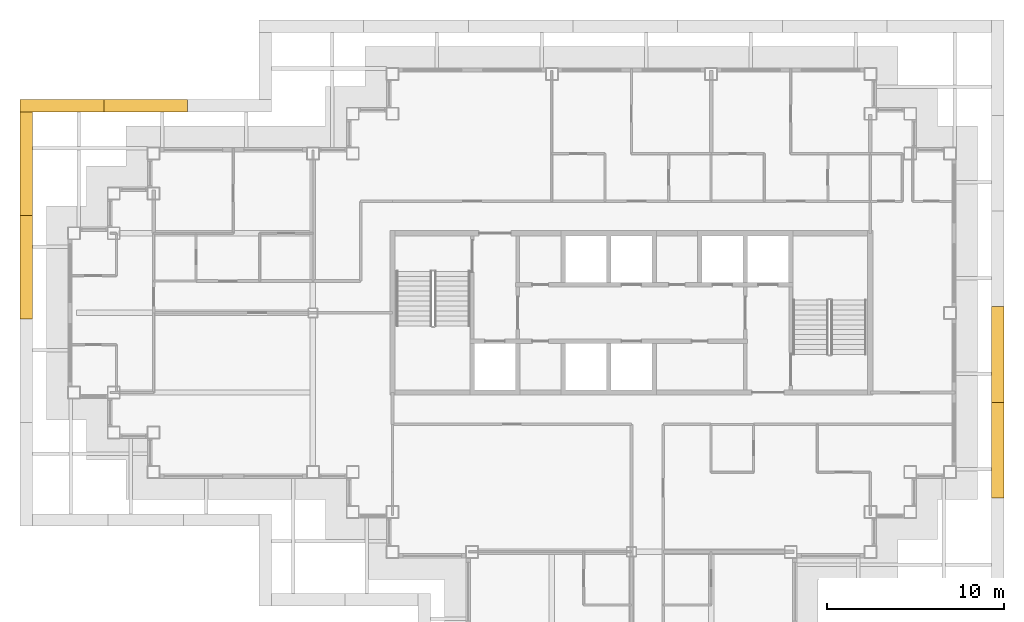
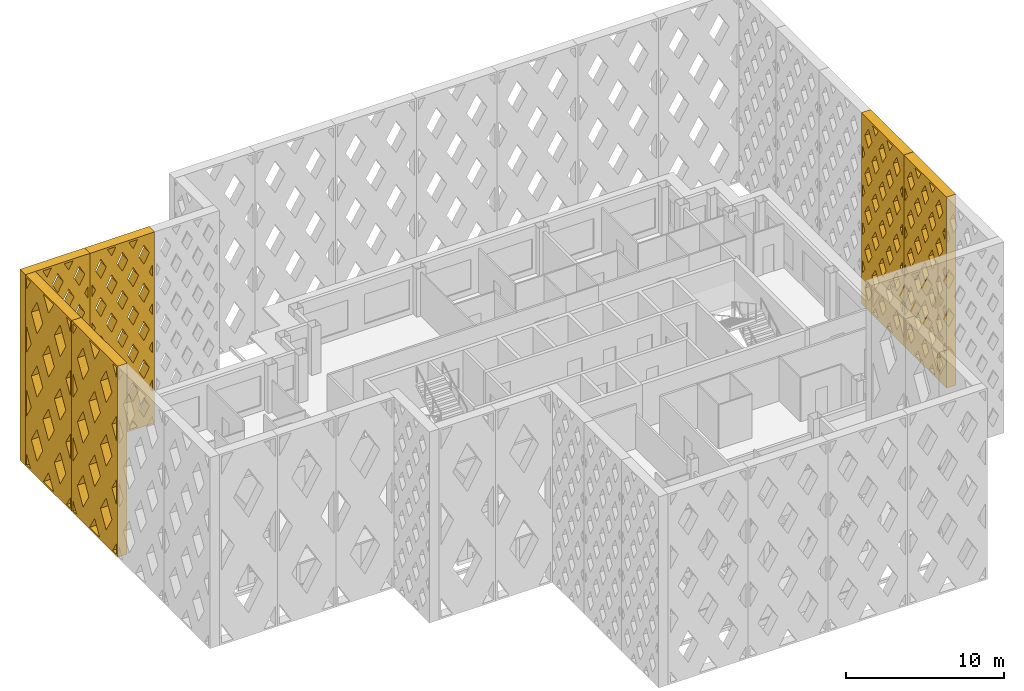
# One storey, part 15 of 17: 6 shading devices.
"""IFC4 building model written with IfcOpenShell, lengths in metres."""

from ifc_helpers import new_model, si_unit, direction, frame, origin, place, context, subcontext, project, spatial, polyline, outline, extrude, material, type_object, element, save


model = new_model("IFC4")

# Units and contexts
model_context = context("Model", 3, precision=1e-05, world=origin(), true_north=direction((0.0, 1.0)))
body_context = subcontext(model_context, "Body", "Model", "MODEL_VIEW")
ifc_project = project(units=[si_unit("LENGTHUNIT", "METRE"), si_unit("AREAUNIT", "SQUARE_METRE"), si_unit("VOLUMEUNIT", "CUBIC_METRE"), si_unit("PLANEANGLEUNIT", "RADIAN"), si_unit("MASSUNIT", "GRAM", prefix="KILO")], contexts=[model_context])

# Site, building, storey
site_placement = place(None, origin())
site = spatial("IfcSite", under=ifc_project, at=site_placement, CompositionType="ELEMENT")
building_placement = place(site_placement, origin())
building = spatial("IfcBuilding", under=site, at=building_placement, Name="Caravel Reach Hotel and Residences", CompositionType="ELEMENT")
storey_placement = place(building_placement, frame((0.0, 0.0, 192.39990234375)))
storey = spatial("IfcBuildingStorey", under=building, at=storey_placement, Name="L48", CompositionType="ELEMENT", Elevation=192.39990234375)

# Shading devices
ifc_material_1 = material(Name="Black powder-coated aluminium", Category="aluminium")
shading_device_type_1 = type_object("IfcShadingDeviceType", Name="Diamond lattice screen panel 4733 x 14800", PredefinedType="USERDEFINED", material=ifc_material_1)
shading_device_1_placement = place(storey_placement, frame((6.416748046875, 38.35009765625, 0.0), z_axis=(0.0, 1.0, 0.0), x_axis=(-1.0, 0.0, 0.0)))
element("IfcShadingDevice", 1, at=shading_device_1_placement, inside=storey, type_object=shading_device_type_1, Name="Lattice screen L48-L51 6.2", ObjectType="SCREEN", PredefinedType="USERDEFINED", context=body_context, shape_type="SweptSolid", body=[
    extrude(outline(polyline([(0.0, 0.0), (4.7333984375, 0.0), (4.7333984375, 14.800048828125), (0.0, 14.800048828125), (0.0, 0.0)]), holes=[polyline([(0.398681640625, 2.9599609375), (0.14990234375, 3.4267578125), (0.14990234375, 2.493408203125), (0.398681640625, 2.9599609375)]), polyline([(0.398681640625, 5.919921875), (0.14990234375, 6.38671875), (0.14990234375, 5.453369140625), (0.398681640625, 5.919921875)]), polyline([(0.398681640625, 8.8798828125), (0.14990234375, 9.3466796875), (0.14990234375, 8.413330078125), (0.398681640625, 8.8798828125)]), polyline([(0.398681640625, 11.840087890625), (0.14990234375, 12.306640625), (0.14990234375, 11.373291015625), (0.398681640625, 11.840087890625)]), polyline([(0.788818359375, 2.22802734375), (0.39013671875, 1.47998046875), (0.788818359375, 0.73193359375), (1.187744140625, 1.47998046875), (0.788818359375, 2.22802734375)]), polyline([(0.788818359375, 5.18798828125), (0.39013671875, 4.43994140625), (0.788818359375, 3.69189453125), (1.187744140625, 4.43994140625), (0.788818359375, 5.18798828125)]), polyline([(0.788818359375, 8.14794921875), (0.39013671875, 7.39990234375), (0.788818359375, 6.65185546875), (1.187744140625, 7.39990234375), (0.788818359375, 8.14794921875)]), polyline([(0.788818359375, 11.108154296875), (0.39013671875, 10.360107421875), (0.788818359375, 9.612060546875), (1.187744140625, 10.360107421875), (0.788818359375, 11.108154296875)]), polyline([(0.788818359375, 14.068115234375), (0.39013671875, 13.320068359375), (0.788818359375, 12.572021484375), (1.187744140625, 13.320068359375), (0.788818359375, 14.068115234375)]), polyline([(1.577880859375, 0.748046875), (1.259033203125, 0.14990234375), (1.896484375, 0.14990234375), (1.577880859375, 0.748046875)]), polyline([(1.577880859375, 3.7080078125), (1.178955078125, 2.9599609375), (1.577880859375, 2.2119140625), (1.9765625, 2.9599609375), (1.577880859375, 3.7080078125)]), polyline([(1.577880859375, 6.66796875), (1.178955078125, 5.919921875), (1.577880859375, 5.171875), (1.9765625, 5.919921875), (1.577880859375, 6.66796875)]), polyline([(1.577880859375, 9.6279296875), (1.178955078125, 8.8798828125), (1.577880859375, 8.1318359375), (1.9765625, 8.8798828125), (1.577880859375, 9.6279296875)]), polyline([(1.577880859375, 12.588134765625), (1.178955078125, 11.840087890625), (1.577880859375, 11.092041015625), (1.9765625, 11.840087890625), (1.577880859375, 12.588134765625)]), polyline([(1.577880859375, 14.052001953125), (1.896484375, 14.64990234375), (1.259033203125, 14.64990234375), (1.577880859375, 14.052001953125)]), polyline([(2.36669921875, 2.22802734375), (1.968017578125, 1.47998046875), (2.36669921875, 0.73193359375), (2.765380859375, 1.47998046875), (2.36669921875, 2.22802734375)]), polyline([(2.36669921875, 5.18798828125), (1.968017578125, 4.43994140625), (2.36669921875, 3.69189453125), (2.765380859375, 4.43994140625), (2.36669921875, 5.18798828125)]), polyline([(2.36669921875, 8.14794921875), (1.968017578125, 7.39990234375), (2.36669921875, 6.65185546875), (2.765380859375, 7.39990234375), (2.36669921875, 8.14794921875)]), polyline([(2.36669921875, 11.108154296875), (1.968017578125, 10.360107421875), (2.36669921875, 9.612060546875), (2.765380859375, 10.360107421875), (2.36669921875, 11.108154296875)]), polyline([(2.36669921875, 14.068115234375), (1.968017578125, 13.320068359375), (2.36669921875, 12.572021484375), (2.765380859375, 13.320068359375), (2.36669921875, 14.068115234375)]), polyline([(3.155517578125, 0.748046875), (2.836669921875, 0.14990234375), (3.474365234375, 0.14990234375), (3.155517578125, 0.748046875)]), polyline([(3.155517578125, 3.7080078125), (2.7568359375, 2.9599609375), (3.155517578125, 2.2119140625), (3.55419921875, 2.9599609375), (3.155517578125, 3.7080078125)]), polyline([(3.155517578125, 6.66796875), (2.7568359375, 5.919921875), (3.155517578125, 5.171875), (3.55419921875, 5.919921875), (3.155517578125, 6.66796875)]), polyline([(3.155517578125, 9.6279296875), (2.7568359375, 8.8798828125), (3.155517578125, 8.1318359375), (3.55419921875, 8.8798828125), (3.155517578125, 9.6279296875)]), polyline([(3.155517578125, 12.588134765625), (2.7568359375, 11.840087890625), (3.155517578125, 11.092041015625), (3.55419921875, 11.840087890625), (3.155517578125, 12.588134765625)]), polyline([(3.155517578125, 14.052001953125), (3.474365234375, 14.64990234375), (2.836669921875, 14.64990234375), (3.155517578125, 14.052001953125)]), polyline([(3.9443359375, 2.22802734375), (3.545654296875, 1.47998046875), (3.9443359375, 0.73193359375), (4.34326171875, 1.47998046875), (3.9443359375, 2.22802734375)]), polyline([(3.9443359375, 5.18798828125), (3.545654296875, 4.43994140625), (3.9443359375, 3.69189453125), (4.34326171875, 4.43994140625), (3.9443359375, 5.18798828125)]), polyline([(3.9443359375, 8.14794921875), (3.545654296875, 7.39990234375), (3.9443359375, 6.65185546875), (4.34326171875, 7.39990234375), (3.9443359375, 8.14794921875)]), polyline([(3.9443359375, 11.108154296875), (3.545654296875, 10.360107421875), (3.9443359375, 9.612060546875), (4.34326171875, 10.360107421875), (3.9443359375, 11.108154296875)]), polyline([(3.9443359375, 14.068115234375), (3.545654296875, 13.320068359375), (3.9443359375, 12.572021484375), (4.34326171875, 13.320068359375), (3.9443359375, 14.068115234375)]), polyline([(4.334716796875, 2.9599609375), (4.583251953125, 2.493408203125), (4.583251953125, 3.4267578125), (4.334716796875, 2.9599609375)]), polyline([(4.334716796875, 5.919921875), (4.583251953125, 5.453369140625), (4.583251953125, 6.38671875), (4.334716796875, 5.919921875)]), polyline([(4.334716796875, 8.8798828125), (4.583251953125, 8.413330078125), (4.583251953125, 9.3466796875), (4.334716796875, 8.8798828125)]), polyline([(4.334716796875, 11.840087890625), (4.583251953125, 11.373291015625), (4.583251953125, 12.306640625), (4.334716796875, 11.840087890625)])]), origin(), (0.0, 0.0, 1.0), 0.699951171875),
])
shading_device_2_placement = place(storey_placement, frame((1.683349609375, 38.35009765625, 0.0), z_axis=(0.0, 1.0, 0.0), x_axis=(-1.0, 0.0, 0.0)))
element("IfcShadingDevice", 2, at=shading_device_2_placement, inside=storey, type_object=shading_device_type_1, Name="Lattice screen L48-L51 6.3", ObjectType="SCREEN", PredefinedType="USERDEFINED", context=body_context, shape_type="SweptSolid", body=[
    extrude(outline(polyline([(0.0, 0.0), (4.7333984375, 0.0), (4.7333984375, 14.800048828125), (0.0, 14.800048828125), (0.0, 0.0)]), holes=[polyline([(0.398681640625, 2.9599609375), (0.14990234375, 3.4267578125), (0.14990234375, 2.493408203125), (0.398681640625, 2.9599609375)]), polyline([(0.398681640625, 5.919921875), (0.14990234375, 6.38671875), (0.14990234375, 5.453369140625), (0.398681640625, 5.919921875)]), polyline([(0.398681640625, 8.8798828125), (0.14990234375, 9.3466796875), (0.14990234375, 8.413330078125), (0.398681640625, 8.8798828125)]), polyline([(0.398681640625, 11.840087890625), (0.14990234375, 12.306640625), (0.14990234375, 11.373291015625), (0.398681640625, 11.840087890625)]), polyline([(0.788818359375, 2.22802734375), (0.39013671875, 1.47998046875), (0.788818359375, 0.73193359375), (1.187744140625, 1.47998046875), (0.788818359375, 2.22802734375)]), polyline([(0.788818359375, 5.18798828125), (0.39013671875, 4.43994140625), (0.788818359375, 3.69189453125), (1.187744140625, 4.43994140625), (0.788818359375, 5.18798828125)]), polyline([(0.788818359375, 8.14794921875), (0.39013671875, 7.39990234375), (0.788818359375, 6.65185546875), (1.187744140625, 7.39990234375), (0.788818359375, 8.14794921875)]), polyline([(0.788818359375, 11.108154296875), (0.39013671875, 10.360107421875), (0.788818359375, 9.612060546875), (1.187744140625, 10.360107421875), (0.788818359375, 11.108154296875)]), polyline([(0.788818359375, 14.068115234375), (0.39013671875, 13.320068359375), (0.788818359375, 12.572021484375), (1.187744140625, 13.320068359375), (0.788818359375, 14.068115234375)]), polyline([(1.577880859375, 0.748046875), (1.259033203125, 0.14990234375), (1.896484375, 0.14990234375), (1.577880859375, 0.748046875)]), polyline([(1.577880859375, 3.7080078125), (1.178955078125, 2.9599609375), (1.577880859375, 2.2119140625), (1.9765625, 2.9599609375), (1.577880859375, 3.7080078125)]), polyline([(1.577880859375, 6.66796875), (1.178955078125, 5.919921875), (1.577880859375, 5.171875), (1.9765625, 5.919921875), (1.577880859375, 6.66796875)]), polyline([(1.577880859375, 9.6279296875), (1.178955078125, 8.8798828125), (1.577880859375, 8.1318359375), (1.9765625, 8.8798828125), (1.577880859375, 9.6279296875)]), polyline([(1.577880859375, 12.588134765625), (1.178955078125, 11.840087890625), (1.577880859375, 11.092041015625), (1.9765625, 11.840087890625), (1.577880859375, 12.588134765625)]), polyline([(1.577880859375, 14.052001953125), (1.896484375, 14.64990234375), (1.259033203125, 14.64990234375), (1.577880859375, 14.052001953125)]), polyline([(2.36669921875, 2.22802734375), (1.968017578125, 1.47998046875), (2.36669921875, 0.73193359375), (2.765380859375, 1.47998046875), (2.36669921875, 2.22802734375)]), polyline([(2.36669921875, 5.18798828125), (1.968017578125, 4.43994140625), (2.36669921875, 3.69189453125), (2.765380859375, 4.43994140625), (2.36669921875, 5.18798828125)]), polyline([(2.36669921875, 8.14794921875), (1.968017578125, 7.39990234375), (2.36669921875, 6.65185546875), (2.765380859375, 7.39990234375), (2.36669921875, 8.14794921875)]), polyline([(2.36669921875, 11.108154296875), (1.968017578125, 10.360107421875), (2.36669921875, 9.612060546875), (2.765380859375, 10.360107421875), (2.36669921875, 11.108154296875)]), polyline([(2.36669921875, 14.068115234375), (1.968017578125, 13.320068359375), (2.36669921875, 12.572021484375), (2.765380859375, 13.320068359375), (2.36669921875, 14.068115234375)]), polyline([(3.155517578125, 0.748046875), (2.836669921875, 0.14990234375), (3.474365234375, 0.14990234375), (3.155517578125, 0.748046875)]), polyline([(3.155517578125, 3.7080078125), (2.7568359375, 2.9599609375), (3.155517578125, 2.2119140625), (3.55419921875, 2.9599609375), (3.155517578125, 3.7080078125)]), polyline([(3.155517578125, 6.66796875), (2.7568359375, 5.919921875), (3.155517578125, 5.171875), (3.55419921875, 5.919921875), (3.155517578125, 6.66796875)]), polyline([(3.155517578125, 9.6279296875), (2.7568359375, 8.8798828125), (3.155517578125, 8.1318359375), (3.55419921875, 8.8798828125), (3.155517578125, 9.6279296875)]), polyline([(3.155517578125, 12.588134765625), (2.7568359375, 11.840087890625), (3.155517578125, 11.092041015625), (3.55419921875, 11.840087890625), (3.155517578125, 12.588134765625)]), polyline([(3.155517578125, 14.052001953125), (3.474365234375, 14.64990234375), (2.836669921875, 14.64990234375), (3.155517578125, 14.052001953125)]), polyline([(3.9443359375, 2.22802734375), (3.545654296875, 1.47998046875), (3.9443359375, 0.73193359375), (4.34326171875, 1.47998046875), (3.9443359375, 2.22802734375)]), polyline([(3.9443359375, 5.18798828125), (3.545654296875, 4.43994140625), (3.9443359375, 3.69189453125), (4.34326171875, 4.43994140625), (3.9443359375, 5.18798828125)]), polyline([(3.9443359375, 8.14794921875), (3.545654296875, 7.39990234375), (3.9443359375, 6.65185546875), (4.34326171875, 7.39990234375), (3.9443359375, 8.14794921875)]), polyline([(3.9443359375, 11.108154296875), (3.545654296875, 10.360107421875), (3.9443359375, 9.612060546875), (4.34326171875, 10.360107421875), (3.9443359375, 11.108154296875)]), polyline([(3.9443359375, 14.068115234375), (3.545654296875, 13.320068359375), (3.9443359375, 12.572021484375), (4.34326171875, 13.320068359375), (3.9443359375, 14.068115234375)]), polyline([(4.334716796875, 2.9599609375), (4.583251953125, 2.493408203125), (4.583251953125, 3.4267578125), (4.334716796875, 2.9599609375)]), polyline([(4.334716796875, 5.919921875), (4.583251953125, 5.453369140625), (4.583251953125, 6.38671875), (4.334716796875, 5.919921875)]), polyline([(4.334716796875, 8.8798828125), (4.583251953125, 8.413330078125), (4.583251953125, 9.3466796875), (4.334716796875, 8.8798828125)]), polyline([(4.334716796875, 11.840087890625), (4.583251953125, 11.373291015625), (4.583251953125, 12.306640625), (4.334716796875, 11.840087890625)])]), origin(), (0.0, 0.0, 1.0), 0.699951171875),
])
ifc_material_2 = material(Name="Black powder-coated aluminium", Category="aluminium")
shading_device_type_2 = type_object("IfcShadingDeviceType", Name="Diamond lattice screen panel 5400 x 14800", PredefinedType="USERDEFINED", material=ifc_material_2)
shading_device_3_placement = place(storey_placement, frame((51.85009765625, 16.550048828125, 0.0), z_axis=(1.0, 0.0, 0.0), x_axis=(0.0, 1.0, 0.0)))
element("IfcShadingDevice", 3, at=shading_device_3_placement, inside=storey, type_object=shading_device_type_2, Name="Lattice screen L48-L51 3.2", ObjectType="SCREEN", PredefinedType="USERDEFINED", context=body_context, shape_type="SweptSolid", body=[
    extrude(outline(polyline([(0.0, 0.0), (5.39990234375, 0.0), (5.39990234375, 14.800048828125), (0.0, 14.800048828125), (0.0, 0.0)]), holes=[polyline([(0.452880859375, 2.9599609375), (0.14990234375, 3.4580078125), (0.14990234375, 2.4619140625), (0.452880859375, 2.9599609375)]), polyline([(0.452880859375, 5.919921875), (0.14990234375, 6.41796875), (0.14990234375, 5.421875), (0.452880859375, 5.919921875)]), polyline([(0.452880859375, 8.8798828125), (0.14990234375, 9.378173828125), (0.14990234375, 8.3818359375), (0.452880859375, 8.8798828125)]), polyline([(0.452880859375, 11.840087890625), (0.14990234375, 12.338134765625), (0.14990234375, 11.342041015625), (0.452880859375, 11.840087890625)]), polyline([(0.89990234375, 2.224853515625), (0.447021484375, 1.47998046875), (0.89990234375, 0.7353515625), (1.352783203125, 1.47998046875), (0.89990234375, 2.224853515625)]), polyline([(0.89990234375, 5.184814453125), (0.447021484375, 4.43994140625), (0.89990234375, 3.6953125), (1.352783203125, 4.43994140625), (0.89990234375, 5.184814453125)]), polyline([(0.89990234375, 8.144775390625), (0.447021484375, 7.39990234375), (0.89990234375, 6.6552734375), (1.352783203125, 7.39990234375), (0.89990234375, 8.144775390625)]), polyline([(0.89990234375, 11.104736328125), (0.447021484375, 10.360107421875), (0.89990234375, 9.615234375), (1.352783203125, 10.360107421875), (0.89990234375, 11.104736328125)]), polyline([(0.89990234375, 14.064697265625), (0.447021484375, 13.320068359375), (0.89990234375, 12.5751953125), (1.352783203125, 13.320068359375), (0.89990234375, 14.064697265625)]), polyline([(1.800048828125, 0.74462890625), (1.438232421875, 0.14990234375), (2.16162109375, 0.14990234375), (1.800048828125, 0.74462890625)]), polyline([(1.800048828125, 3.704833984375), (1.34716796875, 2.9599609375), (1.800048828125, 2.21533203125), (2.2529296875, 2.9599609375), (1.800048828125, 3.704833984375)]), polyline([(1.800048828125, 6.664794921875), (1.34716796875, 5.919921875), (1.800048828125, 5.17529296875), (2.2529296875, 5.919921875), (1.800048828125, 6.664794921875)]), polyline([(1.800048828125, 9.624755859375), (1.34716796875, 8.8798828125), (1.800048828125, 8.13525390625), (2.2529296875, 8.8798828125), (1.800048828125, 9.624755859375)]), polyline([(1.800048828125, 12.584716796875), (1.34716796875, 11.840087890625), (1.800048828125, 11.09521484375), (2.2529296875, 11.840087890625), (1.800048828125, 12.584716796875)]), polyline([(1.800048828125, 14.05517578125), (2.16162109375, 14.64990234375), (1.438232421875, 14.64990234375), (1.800048828125, 14.05517578125)]), polyline([(2.699951171875, 2.224853515625), (2.2470703125, 1.47998046875), (2.699951171875, 0.7353515625), (3.15283203125, 1.47998046875), (2.699951171875, 2.224853515625)]), polyline([(2.699951171875, 5.184814453125), (2.2470703125, 4.43994140625), (2.699951171875, 3.6953125), (3.15283203125, 4.43994140625), (2.699951171875, 5.184814453125)]), polyline([(2.699951171875, 8.144775390625), (2.2470703125, 7.39990234375), (2.699951171875, 6.6552734375), (3.15283203125, 7.39990234375), (2.699951171875, 8.144775390625)]), polyline([(2.699951171875, 11.104736328125), (2.2470703125, 10.360107421875), (2.699951171875, 9.615234375), (3.15283203125, 10.360107421875), (2.699951171875, 11.104736328125)]), polyline([(2.699951171875, 14.064697265625), (2.2470703125, 13.320068359375), (2.699951171875, 12.5751953125), (3.15283203125, 13.320068359375), (2.699951171875, 14.064697265625)]), polyline([(3.60009765625, 0.74462890625), (3.23828125, 0.14990234375), (3.961669921875, 0.14990234375), (3.60009765625, 0.74462890625)]), polyline([(3.60009765625, 3.704833984375), (3.147216796875, 2.9599609375), (3.60009765625, 2.21533203125), (4.052978515625, 2.9599609375), (3.60009765625, 3.704833984375)]), polyline([(3.60009765625, 6.664794921875), (3.147216796875, 5.919921875), (3.60009765625, 5.17529296875), (4.052978515625, 5.919921875), (3.60009765625, 6.664794921875)]), polyline([(3.60009765625, 9.624755859375), (3.147216796875, 8.8798828125), (3.60009765625, 8.13525390625), (4.052978515625, 8.8798828125), (3.60009765625, 9.624755859375)]), polyline([(3.60009765625, 12.584716796875), (3.147216796875, 11.840087890625), (3.60009765625, 11.09521484375), (4.052978515625, 11.840087890625), (3.60009765625, 12.584716796875)]), polyline([(3.60009765625, 14.05517578125), (3.961669921875, 14.64990234375), (3.23828125, 14.64990234375), (3.60009765625, 14.05517578125)]), polyline([(4.5, 2.224853515625), (4.047119140625, 1.47998046875), (4.5, 0.7353515625), (4.952880859375, 1.47998046875), (4.5, 2.224853515625)]), polyline([(4.5, 5.184814453125), (4.047119140625, 4.43994140625), (4.5, 3.6953125), (4.952880859375, 4.43994140625), (4.5, 5.184814453125)]), polyline([(4.5, 8.144775390625), (4.047119140625, 7.39990234375), (4.5, 6.6552734375), (4.952880859375, 7.39990234375), (4.5, 8.144775390625)]), polyline([(4.5, 11.104736328125), (4.047119140625, 10.360107421875), (4.5, 9.615234375), (4.952880859375, 10.360107421875), (4.5, 11.104736328125)]), polyline([(4.5, 14.064697265625), (4.047119140625, 13.320068359375), (4.5, 12.5751953125), (4.952880859375, 13.320068359375), (4.5, 14.064697265625)]), polyline([(4.947021484375, 2.9599609375), (5.25, 2.4619140625), (5.25, 3.4580078125), (4.947021484375, 2.9599609375)]), polyline([(4.947021484375, 5.919921875), (5.25, 5.421875), (5.25, 6.41796875), (4.947021484375, 5.919921875)]), polyline([(4.947021484375, 8.8798828125), (5.25, 8.3818359375), (5.25, 9.378173828125), (4.947021484375, 8.8798828125)]), polyline([(4.947021484375, 11.840087890625), (5.25, 11.342041015625), (5.25, 12.338134765625), (4.947021484375, 11.840087890625)])]), origin(), (0.0, 0.0, 1.0), 0.699951171875),
])
shading_device_4_placement = place(storey_placement, frame((51.85009765625, 21.949951171875, 0.0), z_axis=(1.0, 0.0, 0.0), x_axis=(0.0, 1.0, 0.0)))
element("IfcShadingDevice", 4, at=shading_device_4_placement, inside=storey, type_object=shading_device_type_2, Name="Lattice screen L48-L51 3.3", ObjectType="SCREEN", PredefinedType="USERDEFINED", context=body_context, shape_type="SweptSolid", body=[
    extrude(outline(polyline([(0.0, 0.0), (5.39990234375, 0.0), (5.39990234375, 14.800048828125), (0.0, 14.800048828125), (0.0, 0.0)]), holes=[polyline([(0.452880859375, 2.9599609375), (0.14990234375, 3.4580078125), (0.14990234375, 2.4619140625), (0.452880859375, 2.9599609375)]), polyline([(0.452880859375, 5.919921875), (0.14990234375, 6.41796875), (0.14990234375, 5.421875), (0.452880859375, 5.919921875)]), polyline([(0.452880859375, 8.8798828125), (0.14990234375, 9.378173828125), (0.14990234375, 8.3818359375), (0.452880859375, 8.8798828125)]), polyline([(0.452880859375, 11.840087890625), (0.14990234375, 12.338134765625), (0.14990234375, 11.342041015625), (0.452880859375, 11.840087890625)]), polyline([(0.89990234375, 2.224853515625), (0.447021484375, 1.47998046875), (0.89990234375, 0.7353515625), (1.352783203125, 1.47998046875), (0.89990234375, 2.224853515625)]), polyline([(0.89990234375, 5.184814453125), (0.447021484375, 4.43994140625), (0.89990234375, 3.6953125), (1.352783203125, 4.43994140625), (0.89990234375, 5.184814453125)]), polyline([(0.89990234375, 8.144775390625), (0.447021484375, 7.39990234375), (0.89990234375, 6.6552734375), (1.352783203125, 7.39990234375), (0.89990234375, 8.144775390625)]), polyline([(0.89990234375, 11.104736328125), (0.447021484375, 10.360107421875), (0.89990234375, 9.615234375), (1.352783203125, 10.360107421875), (0.89990234375, 11.104736328125)]), polyline([(0.89990234375, 14.064697265625), (0.447021484375, 13.320068359375), (0.89990234375, 12.5751953125), (1.352783203125, 13.320068359375), (0.89990234375, 14.064697265625)]), polyline([(1.800048828125, 0.74462890625), (1.438232421875, 0.14990234375), (2.16162109375, 0.14990234375), (1.800048828125, 0.74462890625)]), polyline([(1.800048828125, 3.704833984375), (1.34716796875, 2.9599609375), (1.800048828125, 2.21533203125), (2.2529296875, 2.9599609375), (1.800048828125, 3.704833984375)]), polyline([(1.800048828125, 6.664794921875), (1.34716796875, 5.919921875), (1.800048828125, 5.17529296875), (2.2529296875, 5.919921875), (1.800048828125, 6.664794921875)]), polyline([(1.800048828125, 9.624755859375), (1.34716796875, 8.8798828125), (1.800048828125, 8.13525390625), (2.2529296875, 8.8798828125), (1.800048828125, 9.624755859375)]), polyline([(1.800048828125, 12.584716796875), (1.34716796875, 11.840087890625), (1.800048828125, 11.09521484375), (2.2529296875, 11.840087890625), (1.800048828125, 12.584716796875)]), polyline([(1.800048828125, 14.05517578125), (2.16162109375, 14.64990234375), (1.438232421875, 14.64990234375), (1.800048828125, 14.05517578125)]), polyline([(2.699951171875, 2.224853515625), (2.2470703125, 1.47998046875), (2.699951171875, 0.7353515625), (3.15283203125, 1.47998046875), (2.699951171875, 2.224853515625)]), polyline([(2.699951171875, 5.184814453125), (2.2470703125, 4.43994140625), (2.699951171875, 3.6953125), (3.15283203125, 4.43994140625), (2.699951171875, 5.184814453125)]), polyline([(2.699951171875, 8.144775390625), (2.2470703125, 7.39990234375), (2.699951171875, 6.6552734375), (3.15283203125, 7.39990234375), (2.699951171875, 8.144775390625)]), polyline([(2.699951171875, 11.104736328125), (2.2470703125, 10.360107421875), (2.699951171875, 9.615234375), (3.15283203125, 10.360107421875), (2.699951171875, 11.104736328125)]), polyline([(2.699951171875, 14.064697265625), (2.2470703125, 13.320068359375), (2.699951171875, 12.5751953125), (3.15283203125, 13.320068359375), (2.699951171875, 14.064697265625)]), polyline([(3.60009765625, 0.74462890625), (3.23828125, 0.14990234375), (3.961669921875, 0.14990234375), (3.60009765625, 0.74462890625)]), polyline([(3.60009765625, 3.704833984375), (3.147216796875, 2.9599609375), (3.60009765625, 2.21533203125), (4.052978515625, 2.9599609375), (3.60009765625, 3.704833984375)]), polyline([(3.60009765625, 6.664794921875), (3.147216796875, 5.919921875), (3.60009765625, 5.17529296875), (4.052978515625, 5.919921875), (3.60009765625, 6.664794921875)]), polyline([(3.60009765625, 9.624755859375), (3.147216796875, 8.8798828125), (3.60009765625, 8.13525390625), (4.052978515625, 8.8798828125), (3.60009765625, 9.624755859375)]), polyline([(3.60009765625, 12.584716796875), (3.147216796875, 11.840087890625), (3.60009765625, 11.09521484375), (4.052978515625, 11.840087890625), (3.60009765625, 12.584716796875)]), polyline([(3.60009765625, 14.05517578125), (3.961669921875, 14.64990234375), (3.23828125, 14.64990234375), (3.60009765625, 14.05517578125)]), polyline([(4.5, 2.224853515625), (4.047119140625, 1.47998046875), (4.5, 0.7353515625), (4.952880859375, 1.47998046875), (4.5, 2.224853515625)]), polyline([(4.5, 5.184814453125), (4.047119140625, 4.43994140625), (4.5, 3.6953125), (4.952880859375, 4.43994140625), (4.5, 5.184814453125)]), polyline([(4.5, 8.144775390625), (4.047119140625, 7.39990234375), (4.5, 6.6552734375), (4.952880859375, 7.39990234375), (4.5, 8.144775390625)]), polyline([(4.5, 11.104736328125), (4.047119140625, 10.360107421875), (4.5, 9.615234375), (4.952880859375, 10.360107421875), (4.5, 11.104736328125)]), polyline([(4.5, 14.064697265625), (4.047119140625, 13.320068359375), (4.5, 12.5751953125), (4.952880859375, 13.320068359375), (4.5, 14.064697265625)]), polyline([(4.947021484375, 2.9599609375), (5.25, 2.4619140625), (5.25, 3.4580078125), (4.947021484375, 2.9599609375)]), polyline([(4.947021484375, 5.919921875), (5.25, 5.421875), (5.25, 6.41796875), (4.947021484375, 5.919921875)]), polyline([(4.947021484375, 8.8798828125), (5.25, 8.3818359375), (5.25, 9.378173828125), (4.947021484375, 8.8798828125)]), polyline([(4.947021484375, 11.840087890625), (5.25, 11.342041015625), (5.25, 12.338134765625), (4.947021484375, 11.840087890625)])]), origin(), (0.0, 0.0, 1.0), 0.699951171875),
])
ifc_material_3 = material(Name="Black powder-coated aluminium", Category="aluminium")
shading_device_type_3 = type_object("IfcShadingDeviceType", Name="Diamond lattice screen panel 5850 x 14800", PredefinedType="USERDEFINED", material=ifc_material_3)
shading_device_5_placement = place(storey_placement, frame((-2.35009765625, 38.35009765625, 0.0), z_axis=(-1.0, 0.0, 0.0), x_axis=(0.0, -1.0, 0.0)))
element("IfcShadingDevice", 5, at=shading_device_5_placement, inside=storey, type_object=shading_device_type_3, Name="Lattice screen L48-L51 7.1", ObjectType="SCREEN", PredefinedType="USERDEFINED", context=body_context, shape_type="SweptSolid", body=[
    extrude(outline(polyline([(0.0, 0.0), (5.85009765625, 0.0), (5.85009765625, 14.800048828125), (0.0, 14.800048828125), (0.0, 0.0)]), holes=[polyline([(0.644775390625, 0.14990234375), (0.14990234375, 0.984375), (0.14990234375, 0.14990234375), (0.644775390625, 0.14990234375)]), polyline([(0.733642578125, 4.933349609375), (0.14990234375, 5.917724609375), (0.14990234375, 3.948974609375), (0.733642578125, 4.933349609375)]), polyline([(0.733642578125, 9.86669921875), (0.14990234375, 10.85107421875), (0.14990234375, 8.88232421875), (0.733642578125, 9.86669921875)]), polyline([(0.14990234375, 13.815673828125), (0.644775390625, 14.64990234375), (0.14990234375, 14.64990234375), (0.14990234375, 13.815673828125)]), polyline([(1.46240234375, 3.703857421875), (0.72900390625, 2.466552734375), (1.46240234375, 1.2294921875), (2.196044921875, 2.466552734375), (1.46240234375, 3.703857421875)]), polyline([(1.46240234375, 8.63720703125), (0.72900390625, 7.39990234375), (1.46240234375, 6.16259765625), (2.196044921875, 7.39990234375), (1.46240234375, 8.63720703125)]), polyline([(1.46240234375, 13.570556640625), (0.72900390625, 12.333251953125), (1.46240234375, 11.095947265625), (2.196044921875, 12.333251953125), (1.46240234375, 13.570556640625)]), polyline([(2.925048828125, 1.2373046875), (2.2802734375, 0.14990234375), (3.569580078125, 0.14990234375), (2.925048828125, 1.2373046875)]), polyline([(2.925048828125, 6.170654296875), (2.19140625, 4.933349609375), (2.925048828125, 3.696044921875), (3.65869140625, 4.933349609375), (2.925048828125, 6.170654296875)]), polyline([(2.925048828125, 11.10400390625), (2.19140625, 9.86669921875), (2.925048828125, 8.62939453125), (3.65869140625, 9.86669921875), (2.925048828125, 11.10400390625)]), polyline([(2.925048828125, 13.562744140625), (3.569580078125, 14.64990234375), (2.2802734375, 14.64990234375), (2.925048828125, 13.562744140625)]), polyline([(4.387451171875, 3.703857421875), (3.65380859375, 2.466552734375), (4.387451171875, 1.2294921875), (5.12109375, 2.466552734375), (4.387451171875, 3.703857421875)]), polyline([(4.387451171875, 8.63720703125), (3.65380859375, 7.39990234375), (4.387451171875, 6.16259765625), (5.12109375, 7.39990234375), (4.387451171875, 8.63720703125)]), polyline([(4.387451171875, 13.570556640625), (3.65380859375, 12.333251953125), (4.387451171875, 11.095947265625), (5.12109375, 12.333251953125), (4.387451171875, 13.570556640625)]), polyline([(5.699951171875, 0.984375), (5.205322265625, 0.14990234375), (5.699951171875, 0.14990234375), (5.699951171875, 0.984375)]), polyline([(5.116455078125, 4.933349609375), (5.699951171875, 3.948974609375), (5.699951171875, 5.917724609375), (5.116455078125, 4.933349609375)]), polyline([(5.116455078125, 9.86669921875), (5.699951171875, 8.88232421875), (5.699951171875, 10.85107421875), (5.116455078125, 9.86669921875)]), polyline([(5.205322265625, 14.64990234375), (5.699951171875, 13.815673828125), (5.699951171875, 14.64990234375), (5.205322265625, 14.64990234375)])]), origin(), (0.0, 0.0, 1.0), 0.699951171875),
])
shading_device_6_placement = place(storey_placement, frame((-2.35009765625, 32.5, 0.0), z_axis=(-1.0, 0.0, 0.0), x_axis=(0.0, -1.0, 0.0)))
element("IfcShadingDevice", 6, at=shading_device_6_placement, inside=storey, type_object=shading_device_type_3, Name="Lattice screen L48-L51 7.2", ObjectType="SCREEN", PredefinedType="USERDEFINED", context=body_context, shape_type="SweptSolid", body=[
    extrude(outline(polyline([(0.0, 0.0), (5.85009765625, 0.0), (5.85009765625, 14.800048828125), (0.0, 14.800048828125), (0.0, 0.0)]), holes=[polyline([(0.644775390625, 0.14990234375), (0.14990234375, 0.984375), (0.14990234375, 0.14990234375), (0.644775390625, 0.14990234375)]), polyline([(0.733642578125, 4.933349609375), (0.14990234375, 5.917724609375), (0.14990234375, 3.948974609375), (0.733642578125, 4.933349609375)]), polyline([(0.733642578125, 9.86669921875), (0.14990234375, 10.85107421875), (0.14990234375, 8.88232421875), (0.733642578125, 9.86669921875)]), polyline([(0.14990234375, 13.815673828125), (0.644775390625, 14.64990234375), (0.14990234375, 14.64990234375), (0.14990234375, 13.815673828125)]), polyline([(1.46240234375, 3.703857421875), (0.72900390625, 2.466552734375), (1.46240234375, 1.2294921875), (2.196044921875, 2.466552734375), (1.46240234375, 3.703857421875)]), polyline([(1.46240234375, 8.63720703125), (0.72900390625, 7.39990234375), (1.46240234375, 6.16259765625), (2.196044921875, 7.39990234375), (1.46240234375, 8.63720703125)]), polyline([(1.46240234375, 13.570556640625), (0.72900390625, 12.333251953125), (1.46240234375, 11.095947265625), (2.196044921875, 12.333251953125), (1.46240234375, 13.570556640625)]), polyline([(2.925048828125, 1.2373046875), (2.2802734375, 0.14990234375), (3.569580078125, 0.14990234375), (2.925048828125, 1.2373046875)]), polyline([(2.925048828125, 6.170654296875), (2.19140625, 4.933349609375), (2.925048828125, 3.696044921875), (3.65869140625, 4.933349609375), (2.925048828125, 6.170654296875)]), polyline([(2.925048828125, 11.10400390625), (2.19140625, 9.86669921875), (2.925048828125, 8.62939453125), (3.65869140625, 9.86669921875), (2.925048828125, 11.10400390625)]), polyline([(2.925048828125, 13.562744140625), (3.569580078125, 14.64990234375), (2.2802734375, 14.64990234375), (2.925048828125, 13.562744140625)]), polyline([(4.387451171875, 3.703857421875), (3.65380859375, 2.466552734375), (4.387451171875, 1.2294921875), (5.12109375, 2.466552734375), (4.387451171875, 3.703857421875)]), polyline([(4.387451171875, 8.63720703125), (3.65380859375, 7.39990234375), (4.387451171875, 6.16259765625), (5.12109375, 7.39990234375), (4.387451171875, 8.63720703125)]), polyline([(4.387451171875, 13.570556640625), (3.65380859375, 12.333251953125), (4.387451171875, 11.095947265625), (5.12109375, 12.333251953125), (4.387451171875, 13.570556640625)]), polyline([(5.699951171875, 0.984375), (5.205322265625, 0.14990234375), (5.699951171875, 0.14990234375), (5.699951171875, 0.984375)]), polyline([(5.116455078125, 4.933349609375), (5.699951171875, 3.948974609375), (5.699951171875, 5.917724609375), (5.116455078125, 4.933349609375)]), polyline([(5.116455078125, 9.86669921875), (5.699951171875, 8.88232421875), (5.699951171875, 10.85107421875), (5.116455078125, 9.86669921875)]), polyline([(5.205322265625, 14.64990234375), (5.699951171875, 13.815673828125), (5.699951171875, 14.64990234375), (5.205322265625, 14.64990234375)])]), origin(), (0.0, 0.0, 1.0), 0.699951171875),
])

save(model, "model.ifc")
